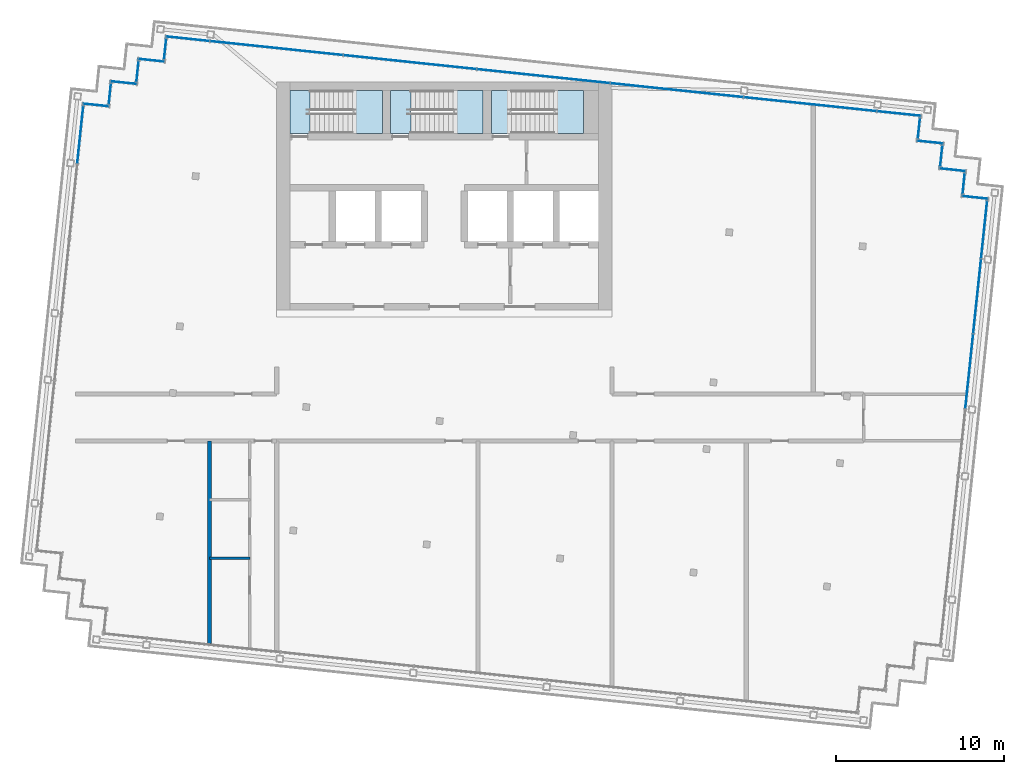
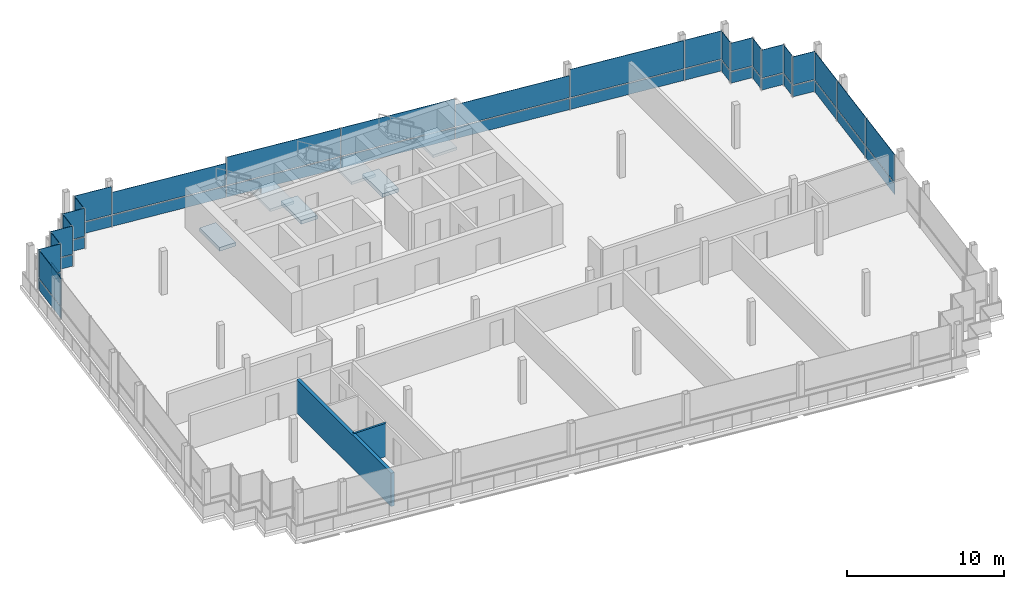
# One storey, part 10 of 15: 46 plates, 6 slabs, 2 walls, 18 elements without a shape of their own.
"""IFC4 building model written with IfcOpenShell, lengths in metres."""

from ifc_helpers import new_model, si_unit, direction, frame, frame_2d, origin, origin_2d, place, context, subcontext, project, spatial, polyline, rectangle, outline, extrude, material, layer, layer_set, type_object, element, aggregate, save


model = new_model("IFC4")

# Units and contexts
model_context = context("Model", 3, precision=1e-05, world=origin(), true_north=direction((0.0, 1.0)))
body_context = subcontext(model_context, "Body", "Model", "MODEL_VIEW")
ifc_project = project(units=[si_unit("LENGTHUNIT", "METRE"), si_unit("AREAUNIT", "SQUARE_METRE"), si_unit("VOLUMEUNIT", "CUBIC_METRE"), si_unit("PLANEANGLEUNIT", "RADIAN"), si_unit("MASSUNIT", "GRAM", prefix="KILO")], contexts=[model_context])

# Site, building, storey
site_placement = place(None, origin())
site = spatial("IfcSite", under=ifc_project, at=site_placement, CompositionType="ELEMENT")
building_placement = place(site_placement, origin())
building = spatial("IfcBuilding", under=site, at=building_placement, Name="Vidyagriha Tower", CompositionType="ELEMENT")
storey_placement = place(building_placement, frame((0.0, 0.0, 291.5)))
storey = spatial("IfcBuildingStorey", under=building, at=storey_placement, Name="L75", CompositionType="ELEMENT", Elevation=291.5)

# Curtain wall, plates
ifc_material_1 = material(Name="Aluminium and glass curtain wall", Category="aluminium")
curtain_wall_type = type_object("IfcCurtainWallType", Name="Lantern glazing wall", PredefinedType="USERDEFINED", material=ifc_material_1)
curtain_wall_1_placement = place(storey_placement, origin())
curtain_wall_1 = element("IfcCurtainWall", 1, at=curtain_wall_1_placement, inside=storey, type_object=curtain_wall_type, Name="CW4 lantern glazing", ObjectType="STICK GLAZING", PredefinedType="USERDEFINED")
ifc_material_2 = material(Name="Glass clear low-iron", Category="glass")
ifc_layer_1 = layer(ifc_material_2, 0.031982421875)
ifc_layer_set_1 = layer_set([ifc_layer_1], Name="Glass clear low-iron")
plate_type = type_object("IfcPlateType", Name="Clear lantern glass panel", PredefinedType="CURTAIN_PANEL", material=ifc_layer_set_1)
plate_1_placement = place(storey_placement, frame((31.64111328125, 13.125244140625, 0.0), z_axis=(0.0, 0.0, 1.0), x_axis=(-0.99452853646, 0.104465258184, 0.0)))
plate_1 = element("IfcPlate", 2, at=plate_1_placement, type_object=plate_type, Name="CW4 panel 1.1", PredefinedType="CURTAIN_PANEL", context=body_context, shape_type="SweptSolid", body=[
    extrude(rectangle(XDim=1.539794921875, YDim=0.031982421875, at=origin_2d()), origin(), (0.0, 0.0, 1.0), 0.860107421875),
])
plate_2_placement = place(storey_placement, frame((31.64111328125, 13.125244140625, 0.93994140625), z_axis=(0.0, 0.0, 1.0), x_axis=(-0.99452853646, 0.104465258184, 0.0)))
plate_2 = element("IfcPlate", 3, at=plate_2_placement, type_object=plate_type, Name="CW4 panel 1.2", PredefinedType="CURTAIN_PANEL", context=body_context, shape_type="SweptSolid", body=[
    extrude(rectangle(XDim=1.539794921875, YDim=0.031982421875, at=origin_2d()), origin(), (0.0, 0.0, 1.0), 2.179931640625),
])
aggregate(curtain_wall_1, [plate_1, plate_2])

curtain_wall_2_placement = place(storey_placement, origin())
curtain_wall_2 = element("IfcCurtainWall", 4, at=curtain_wall_2_placement, inside=storey, type_object=curtain_wall_type, Name="CW4 lantern glazing", ObjectType="STICK GLAZING", PredefinedType="USERDEFINED")
plate_3_placement = place(storey_placement, frame((30.973876953125, 13.949462890625, 0.0), z_axis=(0.0, 0.0, 1.0), x_axis=(0.104475014354, 0.994527511623, 0.0)))
plate_3 = element("IfcPlate", 5, at=plate_3_placement, type_object=plate_type, Name="CW4 panel 1.1", PredefinedType="CURTAIN_PANEL", context=body_context, shape_type="SweptSolid", body=[
    extrude(rectangle(XDim=1.219970703125, YDim=0.031982421875, at=origin_2d()), origin(), (0.0, 0.0, 1.0), 0.860107421875),
])
plate_4_placement = place(storey_placement, frame((30.973876953125, 13.949462890625, 0.93994140625), z_axis=(0.0, 0.0, 1.0), x_axis=(0.104475014354, 0.994527511623, 0.0)))
plate_4 = element("IfcPlate", 6, at=plate_4_placement, type_object=plate_type, Name="CW4 panel 1.2", PredefinedType="CURTAIN_PANEL", context=body_context, shape_type="SweptSolid", body=[
    extrude(rectangle(XDim=1.219970703125, YDim=0.031982421875, at=origin_2d()), origin(), (0.0, 0.0, 1.0), 2.179931640625),
])
aggregate(curtain_wall_2, [plate_3, plate_4])

curtain_wall_3_placement = place(storey_placement, origin())
curtain_wall_3 = element("IfcCurtainWall", 7, at=curtain_wall_3_placement, inside=storey, type_object=curtain_wall_type, Name="CW4 lantern glazing", ObjectType="STICK GLAZING", PredefinedType="USERDEFINED")
plate_5_placement = place(storey_placement, frame((30.30615234375, 14.773681640625, 0.0), z_axis=(0.0, 0.0, 1.0), x_axis=(-0.994522933756, 0.104518583201, 0.0)))
plate_5 = element("IfcPlate", 8, at=plate_5_placement, type_object=plate_type, Name="CW4 panel 1.1", PredefinedType="CURTAIN_PANEL", context=body_context, shape_type="SweptSolid", body=[
    extrude(rectangle(XDim=1.5400390625, YDim=0.031982421875, at=origin_2d()), origin(), (0.0, 0.0, 1.0), 0.860107421875),
])
plate_6_placement = place(storey_placement, frame((30.30615234375, 14.773681640625, 0.93994140625), z_axis=(0.0, 0.0, 1.0), x_axis=(-0.994522933756, 0.104518583201, 0.0)))
plate_6 = element("IfcPlate", 9, at=plate_6_placement, type_object=plate_type, Name="CW4 panel 1.2", PredefinedType="CURTAIN_PANEL", context=body_context, shape_type="SweptSolid", body=[
    extrude(rectangle(XDim=1.5400390625, YDim=0.031982421875, at=origin_2d()), origin(), (0.0, 0.0, 1.0), 2.179931640625),
])
aggregate(curtain_wall_3, [plate_5, plate_6])

curtain_wall_4_placement = place(storey_placement, origin())
curtain_wall_4 = element("IfcCurtainWall", 10, at=curtain_wall_4_placement, inside=storey, type_object=curtain_wall_type, Name="CW4 lantern glazing", ObjectType="STICK GLAZING", PredefinedType="USERDEFINED")
plate_7_placement = place(storey_placement, frame((29.638916015625, 15.59814453125, 0.0), z_axis=(0.0, 0.0, 1.0), x_axis=(0.104556583677, 0.994518939392, 0.0)))
plate_7 = element("IfcPlate", 11, at=plate_7_placement, type_object=plate_type, Name="CW4 panel 1.1", PredefinedType="CURTAIN_PANEL", context=body_context, shape_type="SweptSolid", body=[
    extrude(rectangle(XDim=1.219970703125, YDim=0.031982421875, at=origin_2d()), origin(), (0.0, 0.0, 1.0), 0.860107421875),
])
plate_8_placement = place(storey_placement, frame((29.638916015625, 15.59814453125, 0.93994140625), z_axis=(0.0, 0.0, 1.0), x_axis=(0.104556583677, 0.994518939392, 0.0)))
plate_8 = element("IfcPlate", 12, at=plate_8_placement, type_object=plate_type, Name="CW4 panel 1.2", PredefinedType="CURTAIN_PANEL", context=body_context, shape_type="SweptSolid", body=[
    extrude(rectangle(XDim=1.219970703125, YDim=0.031982421875, at=origin_2d()), origin(), (0.0, 0.0, 1.0), 2.179931640625),
])
aggregate(curtain_wall_4, [plate_7, plate_8])

curtain_wall_5_placement = place(storey_placement, origin())
curtain_wall_5 = element("IfcCurtainWall", 13, at=curtain_wall_5_placement, inside=storey, type_object=curtain_wall_type, Name="CW4 lantern glazing", ObjectType="STICK GLAZING", PredefinedType="USERDEFINED")
plate_9_placement = place(storey_placement, frame((28.97119140625, 16.42236328125, 0.0), z_axis=(0.0, 0.0, 1.0), x_axis=(-0.994522933756, 0.104518583201, 0.0)))
plate_9 = element("IfcPlate", 14, at=plate_9_placement, type_object=plate_type, Name="CW4 panel 1.1", PredefinedType="CURTAIN_PANEL", context=body_context, shape_type="SweptSolid", body=[
    extrude(rectangle(XDim=1.5400390625, YDim=0.031982421875, at=origin_2d()), origin(), (0.0, 0.0, 1.0), 0.860107421875),
])
plate_10_placement = place(storey_placement, frame((28.97119140625, 16.42236328125, 0.93994140625), z_axis=(0.0, 0.0, 1.0), x_axis=(-0.994522933756, 0.104518583201, 0.0)))
plate_10 = element("IfcPlate", 15, at=plate_10_placement, type_object=plate_type, Name="CW4 panel 1.2", PredefinedType="CURTAIN_PANEL", context=body_context, shape_type="SweptSolid", body=[
    extrude(rectangle(XDim=1.5400390625, YDim=0.031982421875, at=origin_2d()), origin(), (0.0, 0.0, 1.0), 2.179931640625),
])
aggregate(curtain_wall_5, [plate_9, plate_10])

curtain_wall_6_placement = place(storey_placement, origin())
curtain_wall_6 = element("IfcCurtainWall", 16, at=curtain_wall_6_placement, inside=storey, type_object=curtain_wall_type, Name="CW4 lantern glazing", ObjectType="STICK GLAZING", PredefinedType="USERDEFINED")
plate_11_placement = place(storey_placement, frame((28.3037109375, 17.24658203125, 0.0), z_axis=(0.0, 0.0, 1.0), x_axis=(0.104556583677, 0.994518939392, 0.0)))
plate_11 = element("IfcPlate", 17, at=plate_11_placement, type_object=plate_type, Name="CW4 panel 1.1", PredefinedType="CURTAIN_PANEL", context=body_context, shape_type="SweptSolid", body=[
    extrude(rectangle(XDim=1.219970703125, YDim=0.031982421875, at=origin_2d()), origin(), (0.0, 0.0, 1.0), 0.860107421875),
])
plate_12_placement = place(storey_placement, frame((28.3037109375, 17.24658203125, 0.93994140625), z_axis=(0.0, 0.0, 1.0), x_axis=(0.104556583677, 0.994518939392, 0.0)))
plate_12 = element("IfcPlate", 18, at=plate_12_placement, type_object=plate_type, Name="CW4 panel 1.2", PredefinedType="CURTAIN_PANEL", context=body_context, shape_type="SweptSolid", body=[
    extrude(rectangle(XDim=1.219970703125, YDim=0.031982421875, at=origin_2d()), origin(), (0.0, 0.0, 1.0), 2.179931640625),
])
aggregate(curtain_wall_6, [plate_11, plate_12])

curtain_wall_7_placement = place(storey_placement, origin())
curtain_wall_7 = element("IfcCurtainWall", 19, at=curtain_wall_7_placement, inside=storey, type_object=curtain_wall_type, Name="CW4 lantern glazing", ObjectType="STICK GLAZING", PredefinedType="USERDEFINED")
plate_13_placement = place(storey_placement, frame((27.114013671875, 18.125732421875, 0.0), z_axis=(0.0, 0.0, 1.0), x_axis=(-0.994521941707, 0.104528022383, 0.0)))
plate_13 = element("IfcPlate", 20, at=plate_13_placement, type_object=plate_type, Name="CW4 panel 1.1", PredefinedType="CURTAIN_PANEL", context=body_context, shape_type="SweptSolid", body=[
    extrude(rectangle(XDim=2.590087890625, YDim=0.031982421875, at=origin_2d()), origin(), (0.0, 0.0, 1.0), 0.860107421875),
])
plate_14_placement = place(storey_placement, frame((27.114013671875, 18.125732421875, 0.93994140625), z_axis=(0.0, 0.0, 1.0), x_axis=(-0.994521941707, 0.104528022383, 0.0)))
plate_14 = element("IfcPlate", 21, at=plate_14_placement, type_object=plate_type, Name="CW4 panel 1.2", PredefinedType="CURTAIN_PANEL", context=body_context, shape_type="SweptSolid", body=[
    extrude(rectangle(XDim=2.590087890625, YDim=0.031982421875, at=origin_2d()), origin(), (0.0, 0.0, 1.0), 2.179931640625),
])
plate_15_placement = place(storey_placement, frame((21.818359375, 18.682373046875, 0.0), z_axis=(0.0, 0.0, 1.0), x_axis=(-0.994521941707, 0.104528022383, 0.0)))
plate_15 = element("IfcPlate", 22, at=plate_15_placement, type_object=plate_type, Name="CW4 panel 2.1", PredefinedType="CURTAIN_PANEL", context=body_context, shape_type="SweptSolid", body=[
    extrude(rectangle(XDim=7.93994140625, YDim=0.031982421875, at=origin_2d()), origin(), (0.0, 0.0, 1.0), 0.860107421875),
])
plate_16_placement = place(storey_placement, frame((21.818359375, 18.682373046875, 0.93994140625), z_axis=(0.0, 0.0, 1.0), x_axis=(-0.994521941707, 0.104528022383, 0.0)))
plate_16 = element("IfcPlate", 23, at=plate_16_placement, type_object=plate_type, Name="CW4 panel 2.2", PredefinedType="CURTAIN_PANEL", context=body_context, shape_type="SweptSolid", body=[
    extrude(rectangle(XDim=7.93994140625, YDim=0.031982421875, at=origin_2d()), origin(), (0.0, 0.0, 1.0), 2.179931640625),
])
plate_17_placement = place(storey_placement, frame((13.862060546875, 19.518798828125, 0.0), z_axis=(0.0, 0.0, 1.0), x_axis=(-0.994521941707, 0.104528022383, 0.0)))
plate_17 = element("IfcPlate", 24, at=plate_17_placement, type_object=plate_type, Name="CW4 panel 3.1", PredefinedType="CURTAIN_PANEL", context=body_context, shape_type="SweptSolid", body=[
    extrude(rectangle(XDim=7.93994140625, YDim=0.031982421875, at=origin_2d()), origin(), (0.0, 0.0, 1.0), 0.860107421875),
])
plate_18_placement = place(storey_placement, frame((13.862060546875, 19.518798828125, 0.93994140625), z_axis=(0.0, 0.0, 1.0), x_axis=(-0.994521941707, 0.104528022383, 0.0)))
plate_18 = element("IfcPlate", 25, at=plate_18_placement, type_object=plate_type, Name="CW4 panel 3.2", PredefinedType="CURTAIN_PANEL", context=body_context, shape_type="SweptSolid", body=[
    extrude(rectangle(XDim=7.93994140625, YDim=0.031982421875, at=origin_2d()), origin(), (0.0, 0.0, 1.0), 1.7177734375),
])
plate_19_placement = place(storey_placement, frame((5.906005859375, 20.35498046875, 0.0), z_axis=(0.0, 0.0, 1.0), x_axis=(-0.994521941707, 0.104528022383, 0.0)))
plate_19 = element("IfcPlate", 26, at=plate_19_placement, type_object=plate_type, Name="CW4 panel 4.1", PredefinedType="CURTAIN_PANEL", context=body_context, shape_type="SweptSolid", body=[
    extrude(rectangle(XDim=7.93994140625, YDim=0.031982421875, at=origin_2d()), origin(), (0.0, 0.0, 1.0), 0.860107421875),
])
plate_20_placement = place(storey_placement, frame((5.906005859375, 20.35498046875, 0.93994140625), z_axis=(0.0, 0.0, 1.0), x_axis=(-0.994521941707, 0.104528022383, 0.0)))
plate_20 = element("IfcPlate", 27, at=plate_20_placement, type_object=plate_type, Name="CW4 panel 4.2", PredefinedType="CURTAIN_PANEL", context=body_context, shape_type="SweptSolid", body=[
    extrude(rectangle(XDim=7.93994140625, YDim=0.031982421875, at=origin_2d()), origin(), (0.0, 0.0, 1.0), 2.179931640625),
])
plate_21_placement = place(storey_placement, frame((-2.05029296875, 21.191162109375, 0.0), z_axis=(0.0, 0.0, 1.0), x_axis=(-0.994521941707, 0.104528022383, 0.0)))
plate_21 = element("IfcPlate", 28, at=plate_21_placement, type_object=plate_type, Name="CW4 panel 5.1", PredefinedType="CURTAIN_PANEL", context=body_context, shape_type="SweptSolid", body=[
    extrude(rectangle(XDim=7.93994140625, YDim=0.031982421875, at=origin_2d()), origin(), (0.0, 0.0, 1.0), 0.860107421875),
])
plate_22_placement = place(storey_placement, frame((-2.05029296875, 21.191162109375, 0.93994140625), z_axis=(0.0, 0.0, 1.0), x_axis=(-0.994521941707, 0.104528022383, 0.0)))
plate_22 = element("IfcPlate", 29, at=plate_22_placement, type_object=plate_type, Name="CW4 panel 5.2", PredefinedType="CURTAIN_PANEL", context=body_context, shape_type="SweptSolid", body=[
    extrude(rectangle(XDim=7.93994140625, YDim=0.031982421875, at=origin_2d()), origin(), (0.0, 0.0, 1.0), 2.179931640625),
])
plate_23_placement = place(storey_placement, frame((-10.00634765625, 22.02734375, 0.0), z_axis=(0.0, 0.0, 1.0), x_axis=(-0.994521941707, 0.104528022383, 0.0)))
plate_23 = element("IfcPlate", 30, at=plate_23_placement, type_object=plate_type, Name="CW4 panel 6.1", PredefinedType="CURTAIN_PANEL", context=body_context, shape_type="SweptSolid", body=[
    extrude(rectangle(XDim=7.93994140625, YDim=0.031982421875, at=origin_2d()), origin(), (0.0, 0.0, 1.0), 0.860107421875),
])
plate_24_placement = place(storey_placement, frame((-10.00634765625, 22.02734375, 0.93994140625), z_axis=(0.0, 0.0, 1.0), x_axis=(-0.994521941707, 0.104528022383, 0.0)))
plate_24 = element("IfcPlate", 31, at=plate_24_placement, type_object=plate_type, Name="CW4 panel 6.2", PredefinedType="CURTAIN_PANEL", context=body_context, shape_type="SweptSolid", body=[
    extrude(rectangle(XDim=7.93994140625, YDim=0.031982421875, at=origin_2d()), origin(), (0.0, 0.0, 1.0), 1.7177734375),
])
plate_25_placement = place(storey_placement, frame((-15.30224609375, 22.583984375, 0.0), z_axis=(0.0, 0.0, 1.0), x_axis=(-0.994521941707, 0.104528022383, 0.0)))
plate_25 = element("IfcPlate", 32, at=plate_25_placement, type_object=plate_type, Name="CW4 panel 7.1", PredefinedType="CURTAIN_PANEL", context=body_context, shape_type="SweptSolid", body=[
    extrude(rectangle(XDim=2.590087890625, YDim=0.031982421875, at=origin_2d()), origin(), (0.0, 0.0, 1.0), 0.860107421875),
])
plate_26_placement = place(storey_placement, frame((-15.30224609375, 22.583984375, 0.93994140625), z_axis=(0.0, 0.0, 1.0), x_axis=(-0.994521941707, 0.104528022383, 0.0)))
plate_26 = element("IfcPlate", 33, at=plate_26_placement, type_object=plate_type, Name="CW4 panel 7.2", PredefinedType="CURTAIN_PANEL", context=body_context, shape_type="SweptSolid", body=[
    extrude(rectangle(XDim=2.590087890625, YDim=0.031982421875, at=origin_2d()), origin(), (0.0, 0.0, 1.0), 2.179931640625),
])
aggregate(curtain_wall_7, [plate_13, plate_14, plate_15, plate_16, plate_17, plate_18, plate_19, plate_20, plate_21, plate_22, plate_23, plate_24, plate_25, plate_26])

curtain_wall_8_placement = place(storey_placement, origin())
curtain_wall_8 = element("IfcCurtainWall", 34, at=curtain_wall_8_placement, inside=storey, type_object=curtain_wall_type, Name="CW4 lantern glazing", ObjectType="STICK GLAZING", PredefinedType="USERDEFINED")
plate_27_placement = place(storey_placement, frame((-16.648681640625, 21.971435546875, 0.0), z_axis=(0.0, 0.0, 1.0), x_axis=(-0.104548823962, -0.994519755162, 0.0)))
plate_27 = element("IfcPlate", 35, at=plate_27_placement, type_object=plate_type, Name="CW4 panel 1.1", PredefinedType="CURTAIN_PANEL", context=body_context, shape_type="SweptSolid", body=[
    extrude(rectangle(XDim=1.219970703125, YDim=0.031982421875, at=origin_2d()), origin(), (0.0, 0.0, 1.0), 0.860107421875),
])
plate_28_placement = place(storey_placement, frame((-16.648681640625, 21.971435546875, 0.93994140625), z_axis=(0.0, 0.0, 1.0), x_axis=(-0.104548823962, -0.994519755162, 0.0)))
plate_28 = element("IfcPlate", 36, at=plate_28_placement, type_object=plate_type, Name="CW4 panel 1.2", PredefinedType="CURTAIN_PANEL", context=body_context, shape_type="SweptSolid", body=[
    extrude(rectangle(XDim=1.219970703125, YDim=0.031982421875, at=origin_2d()), origin(), (0.0, 0.0, 1.0), 2.179931640625),
])
aggregate(curtain_wall_8, [plate_27, plate_28])

curtain_wall_9_placement = place(storey_placement, origin())
curtain_wall_9 = element("IfcCurtainWall", 37, at=curtain_wall_9_placement, inside=storey, type_object=curtain_wall_type, Name="CW4 lantern glazing", ObjectType="STICK GLAZING", PredefinedType="USERDEFINED")
plate_29_placement = place(storey_placement, frame((-17.472900390625, 21.303955078125, 0.0), z_axis=(0.0, 0.0, 1.0), x_axis=(-0.994522933756, 0.104518583201, 0.0)))
plate_29 = element("IfcPlate", 38, at=plate_29_placement, type_object=plate_type, Name="CW4 panel 1.1", PredefinedType="CURTAIN_PANEL", context=body_context, shape_type="SweptSolid", body=[
    extrude(rectangle(XDim=1.5400390625, YDim=0.031982421875, at=origin_2d()), origin(), (0.0, 0.0, 1.0), 0.860107421875),
])
plate_30_placement = place(storey_placement, frame((-17.472900390625, 21.303955078125, 0.93994140625), z_axis=(0.0, 0.0, 1.0), x_axis=(-0.994522933756, 0.104518583201, 0.0)))
plate_30 = element("IfcPlate", 39, at=plate_30_placement, type_object=plate_type, Name="CW4 panel 1.2", PredefinedType="CURTAIN_PANEL", context=body_context, shape_type="SweptSolid", body=[
    extrude(rectangle(XDim=1.5400390625, YDim=0.031982421875, at=origin_2d()), origin(), (0.0, 0.0, 1.0), 2.179931640625),
])
aggregate(curtain_wall_9, [plate_29, plate_30])

curtain_wall_10_placement = place(storey_placement, origin())
curtain_wall_10 = element("IfcCurtainWall", 40, at=curtain_wall_10_placement, inside=storey, type_object=curtain_wall_type, Name="CW4 lantern glazing", ObjectType="STICK GLAZING", PredefinedType="USERDEFINED")
plate_31_placement = place(storey_placement, frame((-18.297119140625, 20.636474609375, 0.0), z_axis=(0.0, 0.0, 1.0), x_axis=(-0.104548823962, -0.994519755162, 0.0)))
plate_31 = element("IfcPlate", 41, at=plate_31_placement, type_object=plate_type, Name="CW4 panel 1.1", PredefinedType="CURTAIN_PANEL", context=body_context, shape_type="SweptSolid", body=[
    extrude(rectangle(XDim=1.219970703125, YDim=0.031982421875, at=origin_2d()), origin(), (0.0, 0.0, 1.0), 0.860107421875),
])
plate_32_placement = place(storey_placement, frame((-18.297119140625, 20.636474609375, 0.93994140625), z_axis=(0.0, 0.0, 1.0), x_axis=(-0.104548823962, -0.994519755162, 0.0)))
plate_32 = element("IfcPlate", 42, at=plate_32_placement, type_object=plate_type, Name="CW4 panel 1.2", PredefinedType="CURTAIN_PANEL", context=body_context, shape_type="SweptSolid", body=[
    extrude(rectangle(XDim=1.219970703125, YDim=0.031982421875, at=origin_2d()), origin(), (0.0, 0.0, 1.0), 2.179931640625),
])
aggregate(curtain_wall_10, [plate_31, plate_32])

curtain_wall_11_placement = place(storey_placement, origin())
curtain_wall_11 = element("IfcCurtainWall", 43, at=curtain_wall_11_placement, inside=storey, type_object=curtain_wall_type, Name="CW4 lantern glazing", ObjectType="STICK GLAZING", PredefinedType="USERDEFINED")
plate_33_placement = place(storey_placement, frame((-19.12158203125, 19.96875, 0.0), z_axis=(0.0, 0.0, 1.0), x_axis=(-0.994523591781, 0.104512321721, 0.0)))
plate_33 = element("IfcPlate", 44, at=plate_33_placement, type_object=plate_type, Name="CW4 panel 1.1", PredefinedType="CURTAIN_PANEL", context=body_context, shape_type="SweptSolid", body=[
    extrude(rectangle(XDim=1.5400390625, YDim=0.031982421875, at=origin_2d()), origin(), (0.0, 0.0, 1.0), 0.860107421875),
])
plate_34_placement = place(storey_placement, frame((-19.12158203125, 19.96875, 0.93994140625), z_axis=(0.0, 0.0, 1.0), x_axis=(-0.994523591781, 0.104512321721, 0.0)))
plate_34 = element("IfcPlate", 45, at=plate_34_placement, type_object=plate_type, Name="CW4 panel 1.2", PredefinedType="CURTAIN_PANEL", context=body_context, shape_type="SweptSolid", body=[
    extrude(rectangle(XDim=1.5400390625, YDim=0.031982421875, at=origin_2d()), origin(), (0.0, 0.0, 1.0), 2.179931640625),
])
aggregate(curtain_wall_11, [plate_33, plate_34])

curtain_wall_12_placement = place(storey_placement, origin())
curtain_wall_12 = element("IfcCurtainWall", 46, at=curtain_wall_12_placement, inside=storey, type_object=curtain_wall_type, Name="CW4 lantern glazing", ObjectType="STICK GLAZING", PredefinedType="USERDEFINED")
plate_35_placement = place(storey_placement, frame((-19.94580078125, 19.301513671875, 0.0), z_axis=(0.0, 0.0, 1.0), x_axis=(-0.10456434453, -0.994518123441, 0.0)))
plate_35 = element("IfcPlate", 47, at=plate_35_placement, type_object=plate_type, Name="CW4 panel 1.1", PredefinedType="CURTAIN_PANEL", context=body_context, shape_type="SweptSolid", body=[
    extrude(rectangle(XDim=1.2197265625, YDim=0.031982421875, at=origin_2d()), origin(), (0.0, 0.0, 1.0), 0.860107421875),
])
plate_36_placement = place(storey_placement, frame((-19.94580078125, 19.301513671875, 0.93994140625), z_axis=(0.0, 0.0, 1.0), x_axis=(-0.10456434453, -0.994518123441, 0.0)))
plate_36 = element("IfcPlate", 48, at=plate_36_placement, type_object=plate_type, Name="CW4 panel 1.2", PredefinedType="CURTAIN_PANEL", context=body_context, shape_type="SweptSolid", body=[
    extrude(rectangle(XDim=1.2197265625, YDim=0.031982421875, at=origin_2d()), origin(), (0.0, 0.0, 1.0), 2.179931640625),
])
aggregate(curtain_wall_12, [plate_35, plate_36])

curtain_wall_13_placement = place(storey_placement, origin())
curtain_wall_13 = element("IfcCurtainWall", 49, at=curtain_wall_13_placement, inside=storey, type_object=curtain_wall_type, Name="CW4 lantern glazing", ObjectType="STICK GLAZING", PredefinedType="USERDEFINED")
plate_37_placement = place(storey_placement, frame((-20.77001953125, 18.634033203125, 0.0), z_axis=(0.0, 0.0, 1.0), x_axis=(-0.994529851134, 0.104452741485, 0.0)))
plate_37 = element("IfcPlate", 50, at=plate_37_placement, type_object=plate_type, Name="CW4 panel 1.1", PredefinedType="CURTAIN_PANEL", context=body_context, shape_type="SweptSolid", body=[
    extrude(rectangle(XDim=1.5400390625, YDim=0.031982421875, at=origin_2d()), origin(), (0.0, 0.0, 1.0), 0.860107421875),
])
plate_38_placement = place(storey_placement, frame((-20.77001953125, 18.634033203125, 0.93994140625), z_axis=(0.0, 0.0, 1.0), x_axis=(-0.994529851134, 0.104452741485, 0.0)))
plate_38 = element("IfcPlate", 51, at=plate_38_placement, type_object=plate_type, Name="CW4 panel 1.2", PredefinedType="CURTAIN_PANEL", context=body_context, shape_type="SweptSolid", body=[
    extrude(rectangle(XDim=1.5400390625, YDim=0.031982421875, at=origin_2d()), origin(), (0.0, 0.0, 1.0), 2.179931640625),
])
aggregate(curtain_wall_13, [plate_37, plate_38])

curtain_wall_14_placement = place(storey_placement, origin())
curtain_wall_14 = element("IfcCurtainWall", 52, at=curtain_wall_14_placement, inside=storey, type_object=curtain_wall_type, Name="CW4 lantern glazing", ObjectType="STICK GLAZING", PredefinedType="USERDEFINED")
plate_39_placement = place(storey_placement, frame((-21.7099609375, 16.867431640625, 0.0), z_axis=(0.0, 0.0, 1.0), x_axis=(-0.104527289697, -0.994522018715, 0.0)))
plate_39 = element("IfcPlate", 53, at=plate_39_placement, type_object=plate_type, Name="CW4 panel 1.1", PredefinedType="CURTAIN_PANEL", context=body_context, shape_type="SweptSolid", body=[
    extrude(rectangle(XDim=3.429931640625, YDim=0.031982421875, at=origin_2d()), origin(), (0.0, 0.0, 1.0), 0.860107421875),
])
plate_40_placement = place(storey_placement, frame((-21.7099609375, 16.867431640625, 0.93994140625), z_axis=(0.0, 0.0, 1.0), x_axis=(-0.104527289697, -0.994522018715, 0.0)))
plate_40 = element("IfcPlate", 54, at=plate_40_placement, type_object=plate_type, Name="CW4 panel 1.2", PredefinedType="CURTAIN_PANEL", context=body_context, shape_type="SweptSolid", body=[
    extrude(rectangle(XDim=3.429931640625, YDim=0.031982421875, at=origin_2d()), origin(), (0.0, 0.0, 1.0), 2.179931640625),
])
aggregate(curtain_wall_14, [plate_39, plate_40])

curtain_wall_15_placement = place(storey_placement, origin())
curtain_wall_15 = element("IfcCurtainWall", 55, at=curtain_wall_15_placement, inside=storey, type_object=curtain_wall_type, Name="CW4 lantern glazing", ObjectType="STICK GLAZING", PredefinedType="USERDEFINED")
plate_41_placement = place(storey_placement, frame((31.30517578125, 2.75341796875, 0.0), z_axis=(0.0, 0.0, 1.0), x_axis=(0.104526899479, 0.994522059728, 0.0)))
plate_41 = element("IfcPlate", 56, at=plate_41_placement, type_object=plate_type, Name="CW4 panel 4.1", PredefinedType="CURTAIN_PANEL", context=body_context, shape_type="SweptSolid", body=[
    extrude(rectangle(XDim=4.43994140625, YDim=0.031982421875, at=origin_2d()), origin(), (0.0, 0.0, 1.0), 0.860107421875),
])
plate_42_placement = place(storey_placement, frame((31.30517578125, 2.75341796875, 0.93994140625), z_axis=(0.0, 0.0, 1.0), x_axis=(0.104526899479, 0.994522059728, 0.0)))
plate_42 = element("IfcPlate", 57, at=plate_42_placement, type_object=plate_type, Name="CW4 panel 4.2", PredefinedType="CURTAIN_PANEL", context=body_context, shape_type="SweptSolid", body=[
    extrude(rectangle(XDim=4.43994140625, YDim=0.031982421875, at=origin_2d()), origin(), (0.0, 0.0, 1.0), 2.179931640625),
])
plate_43_placement = place(storey_placement, frame((31.775634765625, 7.22900390625, 0.0), z_axis=(0.0, 0.0, 1.0), x_axis=(0.104526899479, 0.994522059728, 0.0)))
plate_43 = element("IfcPlate", 58, at=plate_43_placement, type_object=plate_type, Name="CW4 panel 5.1", PredefinedType="CURTAIN_PANEL", context=body_context, shape_type="SweptSolid", body=[
    extrude(rectangle(XDim=4.43994140625, YDim=0.031982421875, at=origin_2d()), origin(), (0.0, 0.0, 1.0), 0.860107421875),
])
plate_44_placement = place(storey_placement, frame((31.775634765625, 7.22900390625, 0.93994140625), z_axis=(0.0, 0.0, 1.0), x_axis=(0.104526899479, 0.994522059728, 0.0)))
plate_44 = element("IfcPlate", 59, at=plate_44_placement, type_object=plate_type, Name="CW4 panel 5.2", PredefinedType="CURTAIN_PANEL", context=body_context, shape_type="SweptSolid", body=[
    extrude(rectangle(XDim=4.43994140625, YDim=0.031982421875, at=origin_2d()), origin(), (0.0, 0.0, 1.0), 2.179931640625),
])
plate_45_placement = place(storey_placement, frame((32.193115234375, 11.201904296875, 0.0), z_axis=(0.0, 0.0, 1.0), x_axis=(0.104526899479, 0.994522059728, 0.0)))
plate_45 = element("IfcPlate", 60, at=plate_45_placement, type_object=plate_type, Name="CW4 panel 6.1", PredefinedType="CURTAIN_PANEL", context=body_context, shape_type="SweptSolid", body=[
    extrude(rectangle(XDim=3.43017578125, YDim=0.031982421875, at=origin_2d()), origin(), (0.0, 0.0, 1.0), 0.860107421875),
])
plate_46_placement = place(storey_placement, frame((32.193115234375, 11.201904296875, 0.93994140625), z_axis=(0.0, 0.0, 1.0), x_axis=(0.104526899479, 0.994522059728, 0.0)))
plate_46 = element("IfcPlate", 61, at=plate_46_placement, type_object=plate_type, Name="CW4 panel 6.2", PredefinedType="CURTAIN_PANEL", context=body_context, shape_type="SweptSolid", body=[
    extrude(rectangle(XDim=3.43017578125, YDim=0.031982421875, at=origin_2d()), origin(), (0.0, 0.0, 1.0), 2.179931640625),
])
aggregate(curtain_wall_15, [plate_41, plate_42, plate_43, plate_44, plate_45, plate_46])

# Slabs
ifc_material_3 = material(Name="Concrete C40/50", Category="concrete")
ifc_layer_2 = layer(ifc_material_3, 0.280029296875)
ifc_layer_set_2 = layer_set([ifc_layer_2], Name="Concrete C40/50")
slab_type_1 = type_object("IfcSlabType", Name="Exit stair floor landing 280 mm", PredefinedType="LANDING", material=ifc_layer_set_2)
slab_1_placement = place(storey_placement, frame((0.0, 0.0, -0.280029296875)))
element("IfcSlab", 62, at=slab_1_placement, inside=storey, type_object=slab_type_1, Name="ST1 floor landing L75", PredefinedType="LANDING", context=body_context, shape_type="SweptSolid", body=[
    extrude(outline(polyline([(-9.199951171875, 16.949951171875), (-8.0, 16.949951171875), (-8.0, 19.5), (-9.199951171875, 19.5), (-9.199951171875, 16.949951171875)])), origin(), (0.0, 0.0, 1.0), 0.280029296875),
])
slab_2_placement = place(storey_placement, frame((0.0, 0.0, -0.280029296875)))
element("IfcSlab", 63, at=slab_2_placement, inside=storey, type_object=slab_type_1, Name="ST2 floor landing L75", PredefinedType="LANDING", context=body_context, shape_type="SweptSolid", body=[
    extrude(outline(polyline([(-3.199951171875, 16.949951171875), (-2.0, 16.949951171875), (-2.0, 19.5), (-3.199951171875, 19.5), (-3.199951171875, 16.949951171875)])), origin(), (0.0, 0.0, 1.0), 0.280029296875),
])
slab_3_placement = place(storey_placement, frame((0.0, 0.0, -0.280029296875)))
element("IfcSlab", 64, at=slab_3_placement, inside=storey, type_object=slab_type_1, Name="ST3 floor landing L75", PredefinedType="LANDING", context=body_context, shape_type="SweptSolid", body=[
    extrude(outline(polyline([(2.800048828125, 16.949951171875), (4.0, 16.949951171875), (4.0, 19.5), (2.800048828125, 19.5), (2.800048828125, 16.949951171875)])), origin(), (0.0, 0.0, 1.0), 0.280029296875),
])

# Stair, slab
ifc_material_4 = material(Name="Concrete C40/50", Category="concrete")
stair_type = type_object("IfcStairType", Name="Exit stair, half-turn, precast flights", PredefinedType="HALF_TURN_STAIR", material=ifc_material_4)
stair_1_placement = place(storey_placement, origin())
stair_1 = element("IfcStair", 65, at=stair_1_placement, inside=storey, type_object=stair_type, Name="L75 Exit Stair ST1", PredefinedType="HALF_TURN_STAIR")
ifc_material_5 = material(Name="Concrete C40/50", Category="concrete")
ifc_layer_3 = layer(ifc_material_5, 0.199951171875)
ifc_layer_set_3 = layer_set([ifc_layer_3], Name="Concrete C40/50")
slab_type_2 = type_object("IfcSlabType", Name="Exit stair landing 200 mm", PredefinedType="LANDING", material=ifc_layer_set_3)
slab_4_placement = place(storey_placement, frame((0.0, 0.0, 1.5)))
slab_4 = element("IfcSlab", 66, at=slab_4_placement, type_object=slab_type_2, Name="ST1 landing 1", PredefinedType="LANDING", context=body_context, shape_type="SweptSolid", body=[
    extrude(outline(polyline([(-5.47998046875, 16.949951171875), (-3.699951171875, 16.949951171875), (-3.699951171875, 19.5), (-5.47998046875, 19.5), (-5.47998046875, 16.949951171875)])), origin(), (0.0, 0.0, 1.0), 0.199951171875),
])
aggregate(stair_1, [slab_4])

stair_2_placement = place(storey_placement, origin())
stair_2 = element("IfcStair", 67, at=stair_2_placement, inside=storey, type_object=stair_type, Name="L75 Exit Stair ST2", PredefinedType="HALF_TURN_STAIR")
slab_5_placement = place(storey_placement, frame((0.0, 0.0, 1.5)))
slab_5 = element("IfcSlab", 68, at=slab_5_placement, type_object=slab_type_2, Name="ST2 landing 1", PredefinedType="LANDING", context=body_context, shape_type="SweptSolid", body=[
    extrude(outline(polyline([(0.52001953125, 16.949951171875), (2.300048828125, 16.949951171875), (2.300048828125, 19.5), (0.52001953125, 19.5), (0.52001953125, 16.949951171875)])), origin(), (0.0, 0.0, 1.0), 0.199951171875),
])
aggregate(stair_2, [slab_5])

stair_3_placement = place(storey_placement, origin())
stair_3 = element("IfcStair", 69, at=stair_3_placement, inside=storey, type_object=stair_type, Name="L75 Exit Stair ST3", PredefinedType="HALF_TURN_STAIR")
slab_6_placement = place(storey_placement, frame((0.0, 0.0, 1.5)))
slab_6 = element("IfcSlab", 70, at=slab_6_placement, type_object=slab_type_2, Name="ST3 landing 1", PredefinedType="LANDING", context=body_context, shape_type="SweptSolid", body=[
    extrude(outline(polyline([(6.52001953125, 16.949951171875), (8.300048828125, 16.949951171875), (8.300048828125, 19.5), (6.52001953125, 19.5), (6.52001953125, 16.949951171875)])), origin(), (0.0, 0.0, 1.0), 0.199951171875),
])
aggregate(stair_3, [slab_6])

# Walls
ifc_material_6 = material(Name="Fired clay brick masonry", Category="masonry")
ifc_layer_4 = layer(ifc_material_6, 0.25)
ifc_layer_set_4 = layer_set([ifc_layer_4], Name="Fired clay brick masonry")
wall_type_1 = type_object("IfcWallType", Name="Fired clay brick demising wall 250", PredefinedType="PARTITIONING", material=ifc_layer_set_4)
wall_1_placement = place(storey_placement, frame((-14.0, -1.39990234375, 0.0), z_axis=(0.0, 0.0, 1.0), x_axis=(0.0, -1.0, 0.0)))
element("IfcWall", 71, at=wall_1_placement, inside=storey, type_object=wall_type_1, Name="Wall all-L75-w010", PredefinedType="PARTITIONING", context=body_context, shape_type="SweptSolid", body=[
    extrude(rectangle(XDim=12.07080078125, YDim=0.25, at=frame_2d((6.035400390625, 0.0))), origin(), (0.0, 0.0, 1.0), 2.60009765625),
])
ifc_material_7 = material(Name="Gypsum board partition")
ifc_layer_5 = layer(ifc_material_7, 0.14990234375)
ifc_layer_set_5 = layer_set([ifc_layer_5], Name="Gypsum board partition")
wall_type_2 = type_object("IfcWallType", Name="Gypsum board partition 150", PredefinedType="PARTITIONING", material=ifc_layer_set_5)
wall_2_placement = place(storey_placement, frame((-11.60009765625, -8.39990234375, 0.0), z_axis=(0.0, 0.0, 1.0), x_axis=(-1.0, 0.0, 0.0)))
element("IfcWall", 72, at=wall_2_placement, inside=storey, type_object=wall_type_2, Name="Wall all-L75-w006", PredefinedType="PARTITIONING", context=body_context, shape_type="SweptSolid", body=[
    extrude(rectangle(XDim=2.39990234375, YDim=0.14990234375, at=frame_2d((1.199951171875, 0.0))), origin(), (0.0, 0.0, 1.0), 2.60009765625),
])

save(model, "model.ifc")
